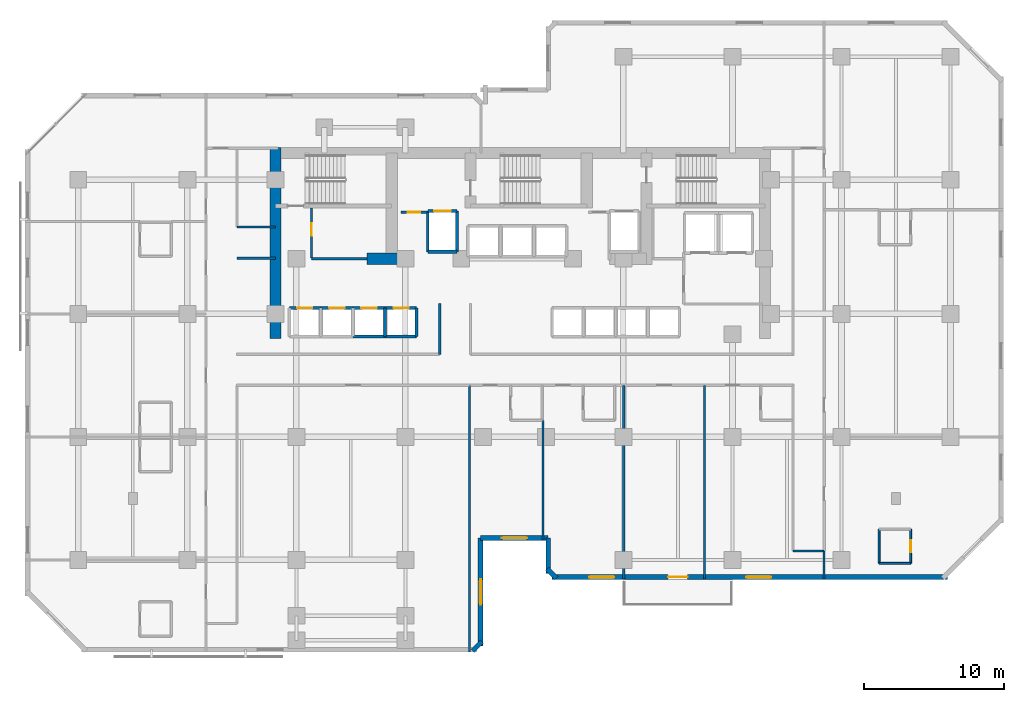
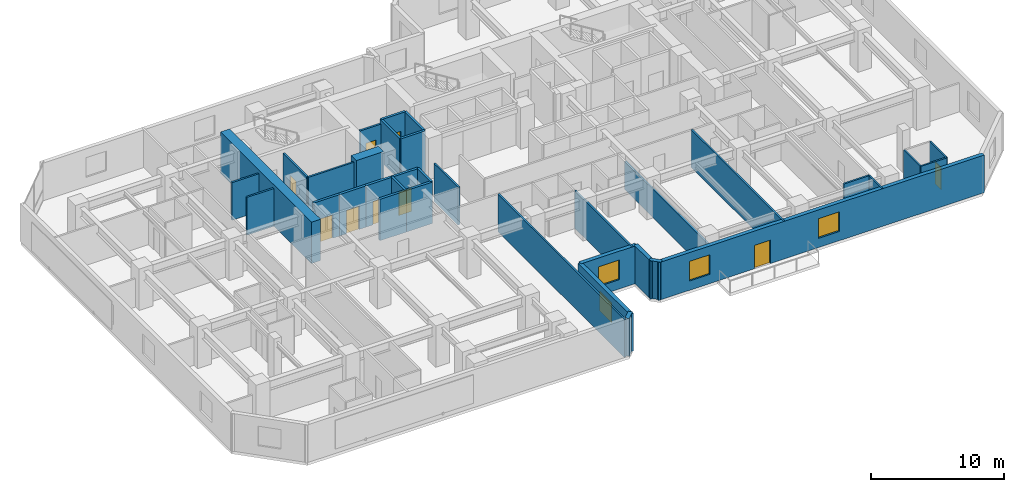
# One storey, part 6 of 11: 35 walls, 9 doors, 4 windows, 13 openings.
"""IFC4 building model written with IfcOpenShell, lengths in metres."""

import ifcopenshell
import ifcopenshell.guid

model = None  # the IFC model being written
_history = None  # IfcOwnerHistory: only IFC2X3 demands one
_inside = {}  # id of a spatial element -> (the spatial element, [elements in it])
_under = {}  # id of a project, library or spatial element -> (it, [spatial elements below it])
_declared = {}  # id of a project -> (the project, [libraries it declares])
_typed = {}  # id of a type object -> (the type object, [elements of that type])
_made_of = {}  # id of a material, layer set ... -> (it, [elements and type objects made of it])


def new_model(schema):
    """Start an empty IFC model of exactly this schema.

    Asked for "IFC4X3", IfcOpenShell would pick the latest addendum, in which some entities
    have other attributes; the version numbers below select the first issue.
    IFC2X3 requires an IfcOwnerHistory on every rooted entity: one is made here for all.
    """
    global model, _history
    if schema == "IFC4X3":
        model = ifcopenshell.file(schema_version=(4, 3, 0, 0))
    else:
        model = ifcopenshell.file(schema=schema)
    _inside.clear()
    _under.clear()
    _declared.clear()
    _typed.clear()
    _made_of.clear()
    _history = None
    if model.schema == "IFC2X3":
        org = make("IfcOrganization", Name="unknown")
        user = make(
            "IfcPersonAndOrganization",
            ThePerson=make("IfcPerson", FamilyName="unknown"),
            TheOrganization=org,
        )
        app = make(
            "IfcApplication",
            ApplicationDeveloper=org,
            Version="unknown",
            ApplicationFullName="unknown",
            ApplicationIdentifier="unknown",
        )
        _history = make(
            "IfcOwnerHistory",
            OwningUser=user,
            OwningApplication=app,
            ChangeAction="ADDED",
            CreationDate=0,
        )
    return model


def make(cls, **values):
    """One entity of the class cls with the attributes given. An attribute that is None is left unset."""
    return model.create_entity(
        cls, **{name: value for name, value in values.items() if value is not None}
    )


def rooted(cls, **values):
    """An entity with a GlobalId (a new one), such as an element, a storey or a relation."""
    return make(cls, GlobalId=ifcopenshell.guid.new(), OwnerHistory=_history, **values)


def si_unit(unit_type, name, prefix=None):
    """IfcSIUnit, for example si_unit("LENGTHUNIT", "METRE", prefix="MILLI")."""
    return make("IfcSIUnit", UnitType=unit_type, Prefix=prefix, Name=name)


def assignment(units):
    """IfcUnitAssignment: the units of a project."""
    return None if units is None else make("IfcUnitAssignment", Units=units)


def point(xyz):
    """IfcCartesianPoint."""
    return None if xyz is None else make("IfcCartesianPoint", Coordinates=xyz)


def direction(xyz):
    """IfcDirection."""
    return None if xyz is None else make("IfcDirection", DirectionRatios=xyz)


def frame(location, z_axis=None, x_axis=None):
    """IfcAxis2Placement3D, a coordinate frame: its origin and axes. An axis left out is left unset."""
    return make(
        "IfcAxis2Placement3D",
        Location=point(location),
        Axis=direction(z_axis),
        RefDirection=direction(x_axis),
    )


def frame_2d(location, x_axis=None):
    """IfcAxis2Placement2D, a coordinate frame in the plane: its origin and x axis."""
    return make(
        "IfcAxis2Placement2D", Location=point(location), RefDirection=direction(x_axis)
    )


def origin():
    """The frame at (0, 0, 0) with its axes left unset."""
    return frame((0.0, 0.0, 0.0))


def place(relative_to, where):
    """IfcLocalPlacement: puts the frame where relative to a parent placement (None: the world)."""
    return make(
        "IfcLocalPlacement", PlacementRelTo=relative_to, RelativePlacement=where
    )


def context(
    kind, dimensions, precision=None, world=None, true_north=None, identifier=None
):
    """IfcGeometricRepresentationContext, for example the 3D "Model" context."""
    return make(
        "IfcGeometricRepresentationContext",
        ContextIdentifier=identifier,
        ContextType=kind,
        CoordinateSpaceDimension=dimensions,
        Precision=precision,
        WorldCoordinateSystem=world,
        TrueNorth=true_north,
    )


def subcontext(parent, identifier, kind, view, scale=None):
    """IfcGeometricRepresentationSubContext, for example "Body" below "Model"."""
    return make(
        "IfcGeometricRepresentationSubContext",
        ContextIdentifier=identifier,
        ContextType=kind,
        ParentContext=parent,
        TargetScale=scale,
        TargetView=view,
    )


def project(units=None, contexts=None):
    """IfcProject with its units and contexts."""
    return rooted(
        "IfcProject",
        Name="project",
        RepresentationContexts=contexts,
        UnitsInContext=assignment(units),
    )


def spatial(cls, under=None, at=None, **own):
    """A site, building, storey or space (cls), placed at a placement, below another one or the project."""
    s = rooted(cls, ObjectPlacement=at, **own)
    if under is not None:
        _under.setdefault(under.id(), (under, []))[1].append(s)
    return s


def profile(cls, at=None, kind="AREA", **sizes):
    """A parametric profile (cls). Its sizes go by their IFC names, for example OverallWidth=200.0."""
    return make(cls, ProfileType=kind, Position=at, **sizes)


def rectangle(**sizes):
    """IfcRectangleProfileDef."""
    return profile("IfcRectangleProfileDef", **sizes)


def extrude(swept, where, along, depth):
    """IfcExtrudedAreaSolid: the profile swept, set in the frame where, extruded along a direction by depth."""
    return make(
        "IfcExtrudedAreaSolid",
        SweptArea=swept,
        Position=where,
        ExtrudedDirection=direction(along),
        Depth=depth,
    )


def shape(context_of_items, identifier, shape_type, items):
    """IfcShapeRepresentation: the items that make up one representation, for example the "Body"."""
    return make(
        "IfcShapeRepresentation",
        ContextOfItems=context_of_items,
        RepresentationIdentifier=identifier,
        RepresentationType=shape_type,
        Items=items,
    )


def material(Name=None, Category=None):
    """IfcMaterial."""
    return make("IfcMaterial", Name=Name, Category=Category)


def layer(
    of_material, thickness, ventilated=None, Name=None, Category=None, Priority=None
):
    """IfcMaterialLayer: one layer of a wall or slab, of a material (None: an air gap)."""
    return make(
        "IfcMaterialLayer",
        Material=of_material,
        LayerThickness=thickness,
        IsVentilated=ventilated,
        Name=Name,
        Category=Category,
        Priority=Priority,
    )


def layer_set(layers, Name=None):
    """IfcMaterialLayerSet."""
    return make("IfcMaterialLayerSet", MaterialLayers=layers, LayerSetName=Name)


def made_of(thing, what):
    """Note that an element or type object is made of a material, layer set ...; save() writes the relation."""
    if what is not None:
        _made_of.setdefault(what.id(), (what, []))[1].append(thing)
    return thing


def type_object(cls, material=None, **own):
    """A type object (cls), such as IfcWallType, which elements share."""
    return made_of(rooted(cls, **own), material)


def element(
    cls,
    number,
    at=None,
    inside=None,
    cuts=None,
    type_object=None,
    material=None,
    context=None,
    identifier="Body",
    shape_type=None,
    held_by="IfcProductDefinitionShape",
    body=None,
    shapes=None,
    **own,
):
    """One element of the class cls, such as IfcWall. Its Tag is "e" and its number.

    at: its placement. inside: the storey or other place that contains it. cuts: it is an
    opening in that element (IfcRelVoidsElement). A single representation is given by context,
    identifier, shape_type and body (its items); several are given by shapes. held_by: the class
    of the entity that holds the representations. save() writes the other relations.
    """
    e = rooted(cls, Tag="e%d" % number, ObjectPlacement=at, **own)
    if body is not None:
        shapes = [shape(context, identifier, shape_type, body)]
    if shapes is not None:
        e.Representation = make(held_by, Representations=shapes)
    if inside is not None:
        _inside.setdefault(inside.id(), (inside, []))[1].append(e)
    if cuts is not None:
        rooted(
            "IfcRelVoidsElement", RelatingBuildingElement=cuts, RelatedOpeningElement=e
        )
    if type_object is not None:
        _typed.setdefault(type_object.id(), (type_object, []))[1].append(e)
    return made_of(e, material)


def fill(opening, filler):
    """IfcRelFillsElement: the door or window that sits in an opening."""
    return rooted(
        "IfcRelFillsElement",
        RelatingOpeningElement=opening,
        RelatedBuildingElement=filler,
    )


def aggregate(whole, parts):
    """IfcRelAggregates: a whole, such as a stair, and the parts it consists of."""
    return rooted("IfcRelAggregates", RelatingObject=whole, RelatedObjects=parts)


def save(model, path):
    """Write the relations noted so far, then the file.

    IfcRelAggregates (storeys below a building ...), IfcRelContainedInSpatialStructure (elements
    in a storey), IfcRelDefinesByType, IfcRelAssociatesMaterial and IfcRelDeclares: one each for
    every whole, place, type object, material and project.
    """
    for whole, parts in _under.values():
        aggregate(whole, parts)
    for where, things in _inside.values():
        rooted(
            "IfcRelContainedInSpatialStructure",
            RelatedElements=things,
            RelatingStructure=where,
        )
    for kind, things in _typed.values():
        rooted("IfcRelDefinesByType", RelatedObjects=things, RelatingType=kind)
    for what, things in _made_of.values():
        rooted("IfcRelAssociatesMaterial", RelatedObjects=things, RelatingMaterial=what)
    for by, libraries in _declared.values():
        rooted("IfcRelDeclares", RelatingContext=by, RelatedDefinitions=libraries)
    model.write(path)


model = new_model("IFC4")

# Units and contexts
model_context = context("Model", 3, precision=1e-05, world=origin(), true_north=direction((0.0, 1.0)))
body_context = subcontext(model_context, "Body", "Model", "MODEL_VIEW")
ifc_project = project(units=[si_unit("LENGTHUNIT", "METRE"), si_unit("AREAUNIT", "SQUARE_METRE"), si_unit("VOLUMEUNIT", "CUBIC_METRE"), si_unit("PLANEANGLEUNIT", "RADIAN"), si_unit("MASSUNIT", "GRAM", prefix="KILO")], contexts=[model_context])

# Site, building, storey
site_placement = place(None, origin())
site = spatial("IfcSite", under=ifc_project, at=site_placement, CompositionType="ELEMENT")
building_placement = place(site_placement, origin())
building = spatial("IfcBuilding", under=site, at=building_placement, Name="Kestravale Grand Hotel", CompositionType="ELEMENT")
storey_placement = place(building_placement, frame((0.0, 0.0, 126.0)))
storey = spatial("IfcBuildingStorey", under=building, at=storey_placement, Name="L31", CompositionType="ELEMENT", Elevation=126.0)

# Walls
ifc_material_1 = material(Name="Concrete f'c 60 MPa", Category="concrete")
ifc_layer_1 = layer(ifc_material_1, 0.800048828125)
ifc_layer_set_1 = layer_set([ifc_layer_1], Name="EW-CORE-800")
wall_type_1 = type_object("IfcWallType", Name="EW-CORE-800", PredefinedType="SHEAR", material=ifc_layer_set_1)
wall_1_placement = place(storey_placement, frame((21.89990234375, 27.050048828125, 0.0), z_axis=(0.0, 0.0, 1.0), x_axis=(0.0, 1.0, 0.0)))
element("IfcWall", 1, at=wall_1_placement, inside=storey, type_object=wall_type_1, Name="L31 core shear wall W1", PredefinedType="SHEAR", context=body_context, shape_type="SweptSolid", body=[
    extrude(rectangle(XDim=13.669921875, YDim=0.800048828125, at=frame_2d((6.8349609375, 0.0))), origin(), (0.0, 0.0, 1.0), 3.800048828125),
])
wall_2_placement = place(storey_placement, frame((28.449951171875, 32.75, 0.0), z_axis=(0.0, 0.0, 1.0), x_axis=(1.0, 0.0, 0.0)))
element("IfcWall", 2, at=wall_2_placement, inside=storey, type_object=wall_type_1, Name="L31 core shear wall S1", PredefinedType="SHEAR", context=body_context, shape_type="SweptSolid", body=[
    extrude(rectangle(XDim=2.400146484375, YDim=0.800048828125, at=frame_2d((1.2001953125, 0.0))), origin(), (0.0, 0.0, 1.0), 3.800048828125),
])
ifc_material_2 = material(Name="Precast concrete f'c 45 MPa", Category="concrete")
ifc_layer_2 = layer(ifc_material_2, 0.340087890625)
ifc_layer_set_2 = layer_set([ifc_layer_2], Name="EW-PREC-340")
wall_type_2 = type_object("IfcWallType", Name="EW-PREC-340", PredefinedType="SOLIDWALL", material=ifc_layer_set_2)
wall_3_placement = place(storey_placement, frame((36.00146484375, 4.69189453125, 0.0), z_axis=(0.0, 0.0, 1.0), x_axis=(0.707238225886, 0.706975312048, 0.0)))
element("IfcWall", 3, at=wall_3_placement, inside=storey, type_object=wall_type_2, Name="L31 fluted precast facade wall 2", PredefinedType="SOLIDWALL", context=body_context, shape_type="SweptSolid", body=[
    extrude(rectangle(XDim=0.9287109375, YDim=0.340087890625, at=frame_2d((0.46435546875, 0.0))), origin(), (0.0, 0.0, 1.0), 3.4599609375),
])

# Wall, opening, window
wall_4_placement = place(storey_placement, frame((36.580078125, 5.030029296875, 0.0), z_axis=(0.0, 0.0, 1.0), x_axis=(0.0, 1.0, 0.0)))
wall_4 = element("IfcWall", 4, at=wall_4_placement, inside=storey, type_object=wall_type_2, Name="L31 fluted precast facade wall 3", PredefinedType="SOLIDWALL", context=body_context, shape_type="SweptSolid", body=[
    extrude(rectangle(XDim=7.739990234375, YDim=0.340087890625, at=frame_2d((3.8701171875, 0.0))), origin(), (0.0, 0.0, 1.0), 3.4599609375),
])
opening_1_placement = place(wall_4_placement, frame((2.969970703125, 0.0, 0.85009765625)))
opening_1 = element("IfcOpeningElement", 5, at=opening_1_placement, cuts=wall_4, Name="Opening W-GUEST-1800", PredefinedType="OPENING", context=body_context, shape_type="SweptSolid", body=[
    extrude(rectangle(XDim=1.800048828125, YDim=1.800048828125, at=frame_2d((0.89990234375, 0.89990234375))), frame((0.0, 0.179931640625, 0.0), z_axis=(0.0, -1.0, 0.0), x_axis=(1.0, 0.0, 0.0)), (0.0, 0.0, 1.0), 0.360107421875),
])
ifc_material_3 = material(Name="Insulated low-E double glazing in aluminium frame", Category="aluminium")
window_type = type_object("IfcWindowType", Name="W-GUEST-1800", PartitioningType="DOUBLE_PANEL_VERTICAL", PredefinedType="WINDOW", material=ifc_material_3)
window_1_placement = place(opening_1_placement, origin())
window_1 = element("IfcWindow", 6, at=window_1_placement, inside=storey, type_object=window_type, Name="L31 exterior window 3.1", OverallHeight=1.800048828125, OverallWidth=1.800048828125, PartitioningType="SINGLE_PANEL", PredefinedType="WINDOW", context=body_context, shape_type="SweptSolid", body=[
    extrude(rectangle(XDim=1.800048828125, YDim=1.800048828125, at=frame_2d((0.89990234375, 0.89990234375))), frame((0.0, 0.030029296875, 0.0), z_axis=(0.0, -1.0, 0.0), x_axis=(1.0, 0.0, 0.0)), (0.0, 0.0, 1.0), 0.06005859375),
])
fill(opening_1, window_1)

wall_5_placement = place(storey_placement, frame((36.580078125, 12.77001953125, 0.0), z_axis=(0.0, 0.0, 1.0), x_axis=(1.0, 0.0, 0.0)))
wall_5 = element("IfcWall", 7, at=wall_5_placement, inside=storey, type_object=wall_type_2, Name="L31 fluted precast facade wall 4", PredefinedType="SOLIDWALL", context=body_context, shape_type="SweptSolid", body=[
    extrude(rectangle(XDim=4.83984375, YDim=0.340087890625, at=frame_2d((2.419921875, 0.0))), origin(), (0.0, 0.0, 1.0), 3.4599609375),
])
opening_2_placement = place(wall_5_placement, frame((1.52001953125, 0.0, 0.85009765625)))
opening_2 = element("IfcOpeningElement", 8, at=opening_2_placement, cuts=wall_5, Name="Opening W-GUEST-1800", PredefinedType="OPENING", context=body_context, shape_type="SweptSolid", body=[
    extrude(rectangle(XDim=1.800048828125, YDim=1.800048828125, at=frame_2d((0.89990234375, 0.89990234375))), frame((0.0, 0.179931640625, 0.0), z_axis=(0.0, -1.0, 0.0), x_axis=(1.0, 0.0, 0.0)), (0.0, 0.0, 1.0), 0.360107421875),
])
window_2_placement = place(opening_2_placement, origin())
window_2 = element("IfcWindow", 9, at=window_2_placement, inside=storey, type_object=window_type, Name="L31 exterior window 4.1", OverallHeight=1.800048828125, OverallWidth=1.800048828125, PartitioningType="SINGLE_PANEL", PredefinedType="WINDOW", context=body_context, shape_type="SweptSolid", body=[
    extrude(rectangle(XDim=1.800048828125, YDim=1.800048828125, at=frame_2d((0.89990234375, 0.89990234375))), frame((0.0, 0.030029296875, 0.0), z_axis=(0.0, -1.0, 0.0), x_axis=(1.0, 0.0, 0.0)), (0.0, 0.0, 1.0), 0.06005859375),
])
fill(opening_2, window_2)

# Walls
wall_6_placement = place(storey_placement, frame((41.419921875, 12.77001953125, 0.0), z_axis=(0.0, 0.0, 1.0), x_axis=(0.0, -1.0, 0.0)))
element("IfcWall", 10, at=wall_6_placement, inside=storey, type_object=wall_type_2, Name="L31 fluted precast facade wall 5", PredefinedType="SOLIDWALL", context=body_context, shape_type="SweptSolid", body=[
    extrude(rectangle(XDim=2.5400390625, YDim=0.340087890625, at=frame_2d((1.27001953125, 0.0))), origin(), (0.0, 0.0, 1.0), 3.4599609375),
])
wall_7_placement = place(storey_placement, frame((41.341796875, 10.548583984375, 0.0), z_axis=(0.0, 0.0, 1.0), x_axis=(0.707106781187, -0.707106781187, 0.0)))
element("IfcWall", 11, at=wall_7_placement, inside=storey, type_object=wall_type_2, Name="L31 fluted precast facade wall 6", PredefinedType="SOLIDWALL", context=body_context, shape_type="SweptSolid", body=[
    extrude(rectangle(XDim=0.9287109375, YDim=0.340087890625, at=frame_2d((0.46435546875, 0.0))), origin(), (0.0, 0.0, 1.0), 3.4599609375),
])

# Wall, openings, door, windows
wall_8_placement = place(storey_placement, frame((41.679931640625, 9.969970703125, 0.0), z_axis=(0.0, 0.0, 1.0), x_axis=(1.0, 0.0, 0.0)))
wall_8 = element("IfcWall", 12, at=wall_8_placement, inside=storey, type_object=wall_type_2, Name="L31 fluted precast facade wall 7", PredefinedType="SOLIDWALL", context=body_context, shape_type="SweptSolid", body=[
    extrude(rectangle(XDim=28.2900390625, YDim=0.340087890625, at=frame_2d((14.14501953125, 0.0))), origin(), (0.0, 0.0, 1.0), 3.4599609375),
])
opening_3_placement = place(wall_8_placement, frame((8.320068359375, 0.0, 0.0)))
opening_3 = element("IfcOpeningElement", 13, at=opening_3_placement, cuts=wall_8, Name="Opening D-TERR-1400", PredefinedType="OPENING", context=body_context, shape_type="SweptSolid", body=[
    extrude(rectangle(XDim=1.39990234375, YDim=2.14990234375, at=frame_2d((0.699951171875, 1.074951171875))), frame((0.0, 0.179931640625, 0.0), z_axis=(0.0, -1.0, 0.0), x_axis=(1.0, 0.0, 0.0)), (0.0, 0.0, 1.0), 0.360107421875),
])
opening_4_placement = place(wall_8_placement, frame((2.6650390625, 0.0, 0.85009765625)))
opening_4 = element("IfcOpeningElement", 14, at=opening_4_placement, cuts=wall_8, Name="Opening W-GUEST-1800", PredefinedType="OPENING", context=body_context, shape_type="SweptSolid", body=[
    extrude(rectangle(XDim=1.800048828125, YDim=1.800048828125, at=frame_2d((0.89990234375, 0.89990234375))), frame((0.0, 0.179931640625, 0.0), z_axis=(0.0, -1.0, 0.0), x_axis=(1.0, 0.0, 0.0)), (0.0, 0.0, 1.0), 0.360107421875),
])
opening_5_placement = place(wall_8_placement, frame((13.89501953125, 0.0, 0.85009765625)))
opening_5 = element("IfcOpeningElement", 15, at=opening_5_placement, cuts=wall_8, Name="Opening W-GUEST-1800", PredefinedType="OPENING", context=body_context, shape_type="SweptSolid", body=[
    extrude(rectangle(XDim=1.800048828125, YDim=1.800048828125, at=frame_2d((0.89990234375, 0.89990234375))), frame((0.0, 0.179931640625, 0.0), z_axis=(0.0, -1.0, 0.0), x_axis=(1.0, 0.0, 0.0)), (0.0, 0.0, 1.0), 0.360107421875),
])
ifc_material_4 = material(Name="Insulated glazed champagne-bronze aluminium door", Category="aluminium")
door_type_1 = type_object("IfcDoorType", Name="D-TERR-1400", OperationType="NOTDEFINED", PredefinedType="DOOR", material=ifc_material_4)
door_1_placement = place(opening_3_placement, origin())
door_1 = element("IfcDoor", 16, at=door_1_placement, inside=storey, type_object=door_type_1, Name="L31 outdoor garden terrace door", OperationType="DOUBLE_DOOR_SINGLE_SWING", OverallHeight=2.14990234375, OverallWidth=1.39990234375, PredefinedType="DOOR", context=body_context, shape_type="SweptSolid", body=[
    extrude(rectangle(XDim=1.39990234375, YDim=2.14990234375, at=frame_2d((0.699951171875, 1.074951171875))), frame((0.0, 0.02490234375, 0.0), z_axis=(0.0, -1.0, 0.0), x_axis=(1.0, 0.0, 0.0)), (0.0, 0.0, 1.0), 0.050048828125),
])
fill(opening_3, door_1)
window_3_placement = place(opening_4_placement, origin())
window_3 = element("IfcWindow", 17, at=window_3_placement, inside=storey, type_object=window_type, Name="L31 exterior window 7.1", OverallHeight=1.800048828125, OverallWidth=1.800048828125, PartitioningType="SINGLE_PANEL", PredefinedType="WINDOW", context=body_context, shape_type="SweptSolid", body=[
    extrude(rectangle(XDim=1.800048828125, YDim=1.800048828125, at=frame_2d((0.89990234375, 0.89990234375))), frame((0.0, 0.030029296875, 0.0), z_axis=(0.0, -1.0, 0.0), x_axis=(1.0, 0.0, 0.0)), (0.0, 0.0, 1.0), 0.06005859375),
])
fill(opening_4, window_3)
window_4_placement = place(opening_5_placement, origin())
window_4 = element("IfcWindow", 18, at=window_4_placement, inside=storey, type_object=window_type, Name="L31 exterior window 7.2", OverallHeight=1.800048828125, OverallWidth=1.800048828125, PartitioningType="SINGLE_PANEL", PredefinedType="WINDOW", context=body_context, shape_type="SweptSolid", body=[
    extrude(rectangle(XDim=1.800048828125, YDim=1.800048828125, at=frame_2d((0.89990234375, 0.89990234375))), frame((0.0, 0.030029296875, 0.0), z_axis=(0.0, -1.0, 0.0), x_axis=(1.0, 0.0, 0.0)), (0.0, 0.0, 1.0), 0.06005859375),
])
fill(opening_5, window_4)

# Wall, opening, door
ifc_material_5 = material(Name="Acoustic fire-rated gypsum board partition", Category="other")
ifc_layer_3 = layer(ifc_material_5, 0.159912109375)
ifc_layer_set_3 = layer_set([ifc_layer_3], Name="IW-CORR-160")
wall_type_3 = type_object("IfcWallType", Name="IW-CORR-160", PredefinedType="PARTITIONING", material=ifc_layer_set_3)
wall_9_placement = place(storey_placement, frame((24.47998046875, 32.800048828125, 0.0), z_axis=(0.0, 0.0, 1.0), x_axis=(0.0, 1.0, 0.0)))
wall_9 = element("IfcWall", 19, at=wall_9_placement, inside=storey, type_object=wall_type_3, Name="L31 west core vestibule wall", PredefinedType="PARTITIONING", context=body_context, shape_type="SweptSolid", body=[
    extrude(rectangle(XDim=3.570068359375, YDim=0.159912109375, at=frame_2d((1.78515625, 0.0))), origin(), (0.0, 0.0, 1.0), 3.4599609375),
])
opening_6_placement = place(wall_9_placement, frame((1.603515625, 0.0, 0.0)))
opening_6 = element("IfcOpeningElement", 20, at=opening_6_placement, cuts=wall_9, Name="Opening D-SH-900", PredefinedType="OPENING", context=body_context, shape_type="SweptSolid", body=[
    extrude(rectangle(XDim=0.89990234375, YDim=2.10009765625, at=frame_2d((0.449951171875, 1.050048828125))), frame((0.0, 0.08984375, 0.0), z_axis=(0.0, -1.0, 0.0), x_axis=(1.0, 0.0, 0.0)), (0.0, 0.0, 1.0), 0.179931640625),
])
ifc_material_6 = material(Name="Galvanised 90-minute shaft and service fire door", Category="steel")
door_type_2 = type_object("IfcDoorType", Name="D-SH-900", OperationType="NOTDEFINED", PredefinedType="DOOR", material=ifc_material_6)
door_2_placement = place(opening_6_placement, origin())
door_2 = element("IfcDoor", 21, at=door_2_placement, inside=storey, type_object=door_type_2, Name="D-L31-HK", OperationType="SINGLE_SWING_RIGHT", OverallHeight=2.10009765625, OverallWidth=0.89990234375, PredefinedType="DOOR", context=body_context, shape_type="SweptSolid", body=[
    extrude(rectangle(XDim=0.89990234375, YDim=2.10009765625, at=frame_2d((0.449951171875, 1.050048828125))), frame((0.0, 0.02490234375, 0.0), z_axis=(0.0, -1.0, 0.0), x_axis=(1.0, 0.0, 0.0)), (0.0, 0.0, 1.0), 0.050048828125),
])
fill(opening_6, door_2)

# Walls
wall_10_placement = place(storey_placement, frame((24.47998046875, 32.75, 0.0), z_axis=(0.0, 0.0, 1.0), x_axis=(1.0, 0.0, 0.0)))
element("IfcWall", 22, at=wall_10_placement, inside=storey, type_object=wall_type_3, Name="W-L31-CWS", PredefinedType="PARTITIONING", context=body_context, shape_type="SweptSolid", body=[
    extrude(rectangle(XDim=3.969970703125, YDim=0.159912109375, at=frame_2d((1.98486328125, 0.0))), origin(), (0.0, 0.0, 1.0), 3.4599609375),
])
wall_11_placement = place(storey_placement, frame((33.64990234375, 25.909912109375, 0.0), z_axis=(0.0, 0.0, 1.0), x_axis=(0.0, 1.0, 0.0)))
element("IfcWall", 23, at=wall_11_placement, inside=storey, type_object=wall_type_3, Name="W-L31-TRUNK-W", PredefinedType="PARTITIONING", context=body_context, shape_type="SweptSolid", body=[
    extrude(rectangle(XDim=3.64013671875, YDim=0.159912109375, at=frame_2d((1.820068359375, 0.0))), origin(), (0.0, 0.0, 1.0), 3.4599609375),
])
for number, where, z_axis, x_axis, name in (
    (24, (19.159912109375, 35.02001953125, 0.0), (0.0, 0.0, 1.0), (1.0, 0.0, 0.0), "W-L31-SW-CN"),
    (25, (19.159912109375, 32.780029296875, 0.0), (0.0, 0.0, 1.0), (1.0, 0.0, 0.0), "W-L31-SW-CS"),
):
    element("IfcWall", number, at=place(storey_placement, frame(where, z_axis=z_axis, x_axis=x_axis)), inside=storey, type_object=wall_type_3, Name=name, PredefinedType="PARTITIONING", context=body_context, shape_type="SweptSolid", body=[
        extrude(rectangle(XDim=2.739990234375, YDim=0.159912109375, at=frame_2d((1.3701171875, 0.0))), origin(), (0.0, 0.0, 1.0), 3.4599609375),
    ])

# Wall, opening, door
ifc_material_7 = material(Name="Fire-rated gypsum board on steel studs with mineral wool", Category="steel")
ifc_layer_4 = layer(ifc_material_7, 0.179931640625)
ifc_layer_set_4 = layer_set([ifc_layer_4], Name="IW-FSAE-180")
wall_type_4 = type_object("IfcWallType", Name="IW-FSAE-180", PredefinedType="PARTITIONING", material=ifc_layer_set_4)
wall_12_placement = place(storey_placement, frame((30.89990234375, 36.080078125, 0.0), z_axis=(0.0, 0.0, 1.0), x_axis=(1.0, 0.0, 0.0)))
wall_12 = element("IfcWall", 26, at=wall_12_placement, inside=storey, type_object=wall_type_4, Name="L31 FSAE Lobby 1 smoke barrier", PredefinedType="PARTITIONING", context=body_context, shape_type="SweptSolid", body=[
    extrude(rectangle(XDim=1.85009765625, YDim=0.179931640625, at=frame_2d((0.925048828125, 0.0))), origin(), (0.0, 0.0, 1.0), 3.4599609375),
])
opening_7_placement = place(wall_12_placement, frame((0.47998046875, 0.0, 0.0)))
opening_7 = element("IfcOpeningElement", 27, at=opening_7_placement, cuts=wall_12, Name="Opening D-FSAE-1000", PredefinedType="OPENING", context=body_context, shape_type="SweptSolid", body=[
    extrude(rectangle(XDim=0.89990234375, YDim=2.14990234375, at=frame_2d((0.449951171875, 1.074951171875))), frame((0.0, 0.099853515625, 0.0), z_axis=(0.0, -1.0, 0.0), x_axis=(1.0, 0.0, 0.0)), (0.0, 0.0, 1.0), 0.199951171875),
])
ifc_material_8 = material(Name="Smoke-gasketed FSAE lobby fire door", Category="steel")
door_type_3 = type_object("IfcDoorType", Name="D-FSAE-1000", OperationType="NOTDEFINED", PredefinedType="DOOR", material=ifc_material_8)
door_3_placement = place(opening_7_placement, origin())
door_3 = element("IfcDoor", 28, at=door_3_placement, inside=storey, type_object=door_type_3, Name="L31 FSAE Lobby 1 fire door", OperationType="SINGLE_SWING_RIGHT", OverallHeight=2.14990234375, OverallWidth=0.89990234375, PredefinedType="DOOR", context=body_context, shape_type="SweptSolid", body=[
    extrude(rectangle(XDim=0.89990234375, YDim=2.14990234375, at=frame_2d((0.449951171875, 1.074951171875))), frame((0.0, 0.02490234375, 0.0), z_axis=(0.0, -1.0, 0.0), x_axis=(1.0, 0.0, 0.0)), (0.0, 0.0, 1.0), 0.050048828125),
])
fill(opening_7, door_3)

# Wall
ifc_material_9 = material(Name="Moisture-resistant tile-backer plumbing chase wall", Category="other")
ifc_layer_5 = layer(ifc_material_9, 0.139892578125)
ifc_layer_set_5 = layer_set([ifc_layer_5], Name="IW-PLB-140")
wall_type_5 = type_object("IfcWallType", Name="IW-PLB-140", PredefinedType="PLUMBINGWALL", material=ifc_layer_set_5)
wall_13_placement = place(storey_placement, frame((65.10009765625, 10.949951171875, 0.0), z_axis=(0.0, 0.0, 1.0), x_axis=(0.0, 1.0, 0.0)))
element("IfcWall", 29, at=wall_13_placement, inside=storey, type_object=wall_type_5, Name="W-L31-U08-BW", PredefinedType="PLUMBINGWALL", context=body_context, shape_type="SweptSolid", body=[
    extrude(rectangle(XDim=2.449951171875, YDim=0.139892578125, at=frame_2d((1.22509765625, 0.0))), origin(), (0.0, 0.0, 1.0), 3.4599609375),
])

# Wall, opening, door
wall_14_placement = place(storey_placement, frame((67.35009765625, 10.949951171875, 0.0), z_axis=(0.0, 0.0, 1.0), x_axis=(0.0, 1.0, 0.0)))
wall_14 = element("IfcWall", 30, at=wall_14_placement, inside=storey, type_object=wall_type_5, Name="W-L31-U08-BE", PredefinedType="PLUMBINGWALL", context=body_context, shape_type="SweptSolid", body=[
    extrude(rectangle(XDim=2.449951171875, YDim=0.139892578125, at=frame_2d((1.22509765625, 0.0))), origin(), (0.0, 0.0, 1.0), 3.4599609375),
])
opening_8_placement = place(wall_14_placement, frame((0.784912109375, 0.0, 0.0)))
opening_8 = element("IfcOpeningElement", 31, at=opening_8_placement, cuts=wall_14, Name="Opening D-BATH-880", PredefinedType="OPENING", context=body_context, shape_type="SweptSolid", body=[
    extrude(rectangle(XDim=0.8798828125, YDim=2.050048828125, at=frame_2d((0.43994140625, 1.02490234375))), frame((0.0, 0.079833984375, 0.0), z_axis=(0.0, -1.0, 0.0), x_axis=(1.0, 0.0, 0.0)), (0.0, 0.0, 1.0), 0.159912109375),
])
ifc_material_10 = material(Name="Moisture-sealed walnut en-suite bathroom door", Category="wood")
door_type_4 = type_object("IfcDoorType", Name="D-BATH-880", OperationType="NOTDEFINED", PredefinedType="DOOR", material=ifc_material_10)
door_4_placement = place(opening_8_placement, origin())
door_4 = element("IfcDoor", 32, at=door_4_placement, inside=storey, type_object=door_type_4, Name="D-L31-U08-BATH", OperationType="SINGLE_SWING_LEFT", OverallHeight=2.050048828125, OverallWidth=0.8798828125, PredefinedType="DOOR", context=body_context, shape_type="SweptSolid", body=[
    extrude(rectangle(XDim=0.8798828125, YDim=2.050048828125, at=frame_2d((0.43994140625, 1.02490234375))), frame((0.0, 0.02490234375, 0.0), z_axis=(0.0, -1.0, 0.0), x_axis=(1.0, 0.0, 0.0)), (0.0, 0.0, 1.0), 0.050048828125),
])
fill(opening_8, door_4)

# Walls
wall_15_placement = place(storey_placement, frame((65.10009765625, 10.949951171875, 0.0), z_axis=(0.0, 0.0, 1.0), x_axis=(1.0, 0.0, 0.0)))
element("IfcWall", 33, at=wall_15_placement, inside=storey, type_object=wall_type_5, Name="W-L31-U08-BS", PredefinedType="PLUMBINGWALL", context=body_context, shape_type="SweptSolid", body=[
    extrude(rectangle(XDim=2.25, YDim=0.139892578125, at=frame_2d((1.125, 0.0))), origin(), (0.0, 0.0, 1.0), 3.4599609375),
])
ifc_material_11 = material(Name="Concrete f'c 45 MPa", Category="concrete")
ifc_layer_6 = layer(ifc_material_11, 0.199951171875)
ifc_layer_set_6 = layer_set([ifc_layer_6], Name="IW-SHAFT-200")
wall_type_6 = type_object("IfcWallType", Name="IW-SHAFT-200", PredefinedType="SHEAR", material=ifc_layer_set_6)
for number, where, z_axis, x_axis, name in (
    (34, (29.75, 27.169921875, 0.0), (0.0, 0.0, 1.0), (0.0, 1.0, 0.0), "L31 PL-L4 west shaft wall"),
    (35, (31.9951171875, 27.169921875, 0.0), (0.0, 0.0, 1.0), (0.0, 1.0, 0.0), "L31 PL-L4 east shaft wall"),
):
    element("IfcWall", number, at=place(storey_placement, frame(where, z_axis=z_axis, x_axis=x_axis)), inside=storey, type_object=wall_type_6, Name=name, PredefinedType="SHEAR", context=body_context, shape_type="SweptSolid", body=[
        extrude(rectangle(XDim=2.06005859375, YDim=0.199951171875, at=frame_2d((1.030029296875, 0.0))), origin(), (0.0, 0.0, 1.0), 3.800048828125),
    ])
for number, where, z_axis, x_axis, name in (
    (36, (32.804931640625, 33.2451171875, 0.0), (0.0, 0.0, 1.0), (0.0, 1.0, 0.0), "L31 FL-1 west shaft wall"),
    (37, (34.89501953125, 33.2451171875, 0.0), (0.0, 0.0, 1.0), (0.0, 1.0, 0.0), "L31 FL-1 east shaft wall"),
):
    element("IfcWall", number, at=place(storey_placement, frame(where, z_axis=z_axis, x_axis=x_axis)), inside=storey, type_object=wall_type_6, Name=name, PredefinedType="SHEAR", context=body_context, shape_type="SweptSolid", body=[
        extrude(rectangle(XDim=2.909912109375, YDim=0.199951171875, at=frame_2d((1.455078125, 0.0))), origin(), (0.0, 0.0, 1.0), 3.800048828125),
    ])

# Wall, opening, door
ifc_material_12 = material(Name="Concrete f'c 45 MPa", Category="concrete")
ifc_layer_7 = layer(ifc_material_12, 0.219970703125)
ifc_layer_set_7 = layer_set([ifc_layer_7], Name="IW-SHAFT-220")
wall_type_7 = type_object("IfcWallType", Name="IW-SHAFT-220", PredefinedType="SHEAR", material=ifc_layer_set_7)
wall_16_placement = place(storey_placement, frame((22.905029296875, 29.22998046875, 0.0), z_axis=(0.0, 0.0, 1.0), x_axis=(1.0, 0.0, 0.0)))
wall_16 = element("IfcWall", 38, at=wall_16_placement, inside=storey, type_object=wall_type_7, Name="L31 PL-L1 north shaft wall", PredefinedType="SHEAR", context=body_context, shape_type="SweptSolid", body=[
    extrude(rectangle(XDim=2.244873046875, YDim=0.219970703125, at=frame_2d((1.12255859375, 0.0))), origin(), (0.0, 0.0, 1.0), 3.800048828125),
])
opening_9_placement = place(wall_16_placement, frame((0.544921875, 0.0, 0.0)))
opening_9 = element("IfcOpeningElement", 39, at=opening_9_placement, cuts=wall_16, Name="Opening LD-PAX-1100", PredefinedType="OPENING", context=body_context, shape_type="SweptSolid", body=[
    extrude(rectangle(XDim=1.10009765625, YDim=2.14990234375, at=frame_2d((0.550048828125, 1.074951171875))), frame((0.0, 0.119873046875, 0.0), z_axis=(0.0, -1.0, 0.0), x_axis=(1.0, 0.0, 0.0)), (0.0, 0.0, 1.0), 0.239990234375),
])
ifc_material_13 = material(Name="Champagne-bronze center-opening sliding elevator landing door", Category="steel")
door_type_5 = type_object("IfcDoorType", Name="LD-PAX-1100", OperationType="NOTDEFINED", PredefinedType="DOOR", material=ifc_material_13)
door_5_placement = place(opening_9_placement, origin())
door_5 = element("IfcDoor", 40, at=door_5_placement, inside=storey, type_object=door_type_5, Name="L31 PL-L1 elevator landing sliding door", OperationType="DOUBLE_DOOR_SLIDING", OverallHeight=2.14990234375, OverallWidth=1.10009765625, PredefinedType="DOOR", context=body_context, shape_type="SweptSolid", body=[
    extrude(rectangle(XDim=1.10009765625, YDim=2.14990234375, at=frame_2d((0.550048828125, 1.074951171875))), frame((0.0, 0.02490234375, 0.0), z_axis=(0.0, -1.0, 0.0), x_axis=(1.0, 0.0, 0.0)), (0.0, 0.0, 1.0), 0.050048828125),
])
fill(opening_9, door_5)

wall_17_placement = place(storey_placement, frame((25.14990234375, 29.22998046875, 0.0), z_axis=(0.0, 0.0, 1.0), x_axis=(1.0, 0.0, 0.0)))
wall_17 = element("IfcWall", 41, at=wall_17_placement, inside=storey, type_object=wall_type_7, Name="L31 PL-L2 north shaft wall", PredefinedType="SHEAR", context=body_context, shape_type="SweptSolid", body=[
    extrude(rectangle(XDim=2.300048828125, YDim=0.219970703125, at=frame_2d((1.14990234375, 0.0))), origin(), (0.0, 0.0, 1.0), 3.800048828125),
])
opening_10_placement = place(wall_17_placement, frame((0.60009765625, 0.0, 0.0)))
opening_10 = element("IfcOpeningElement", 42, at=opening_10_placement, cuts=wall_17, Name="Opening LD-PAX-1100", PredefinedType="OPENING", context=body_context, shape_type="SweptSolid", body=[
    extrude(rectangle(XDim=1.10009765625, YDim=2.14990234375, at=frame_2d((0.550048828125, 1.074951171875))), frame((0.0, 0.119873046875, 0.0), z_axis=(0.0, -1.0, 0.0), x_axis=(1.0, 0.0, 0.0)), (0.0, 0.0, 1.0), 0.239990234375),
])
door_6_placement = place(opening_10_placement, origin())
door_6 = element("IfcDoor", 43, at=door_6_placement, inside=storey, type_object=door_type_5, Name="L31 PL-L2 elevator landing sliding door", OperationType="DOUBLE_DOOR_SLIDING", OverallHeight=2.14990234375, OverallWidth=1.10009765625, PredefinedType="DOOR", context=body_context, shape_type="SweptSolid", body=[
    extrude(rectangle(XDim=1.10009765625, YDim=2.14990234375, at=frame_2d((0.550048828125, 1.074951171875))), frame((0.0, 0.02490234375, 0.0), z_axis=(0.0, -1.0, 0.0), x_axis=(1.0, 0.0, 0.0)), (0.0, 0.0, 1.0), 0.050048828125),
])
fill(opening_10, door_6)

wall_18_placement = place(storey_placement, frame((27.449951171875, 29.22998046875, 0.0), z_axis=(0.0, 0.0, 1.0), x_axis=(1.0, 0.0, 0.0)))
wall_18 = element("IfcWall", 44, at=wall_18_placement, inside=storey, type_object=wall_type_7, Name="L31 PL-L3 north shaft wall", PredefinedType="SHEAR", context=body_context, shape_type="SweptSolid", body=[
    extrude(rectangle(XDim=2.300048828125, YDim=0.219970703125, at=frame_2d((1.14990234375, 0.0))), origin(), (0.0, 0.0, 1.0), 3.800048828125),
])
opening_11_placement = place(wall_18_placement, frame((0.60009765625, 0.0, 0.0)))
opening_11 = element("IfcOpeningElement", 45, at=opening_11_placement, cuts=wall_18, Name="Opening LD-PAX-1100", PredefinedType="OPENING", context=body_context, shape_type="SweptSolid", body=[
    extrude(rectangle(XDim=1.10009765625, YDim=2.14990234375, at=frame_2d((0.550048828125, 1.074951171875))), frame((0.0, 0.119873046875, 0.0), z_axis=(0.0, -1.0, 0.0), x_axis=(1.0, 0.0, 0.0)), (0.0, 0.0, 1.0), 0.239990234375),
])
door_7_placement = place(opening_11_placement, origin())
door_7 = element("IfcDoor", 46, at=door_7_placement, inside=storey, type_object=door_type_5, Name="L31 PL-L3 elevator landing sliding door", OperationType="DOUBLE_DOOR_SLIDING", OverallHeight=2.14990234375, OverallWidth=1.10009765625, PredefinedType="DOOR", context=body_context, shape_type="SweptSolid", body=[
    extrude(rectangle(XDim=1.10009765625, YDim=2.14990234375, at=frame_2d((0.550048828125, 1.074951171875))), frame((0.0, 0.02490234375, 0.0), z_axis=(0.0, -1.0, 0.0), x_axis=(1.0, 0.0, 0.0)), (0.0, 0.0, 1.0), 0.050048828125),
])
fill(opening_11, door_7)

# Wall
wall_19_placement = place(storey_placement, frame((27.449951171875, 27.169921875, 0.0), z_axis=(0.0, 0.0, 1.0), x_axis=(1.0, 0.0, 0.0)))
element("IfcWall", 47, at=wall_19_placement, inside=storey, type_object=wall_type_7, Name="L31 PL-L3 south shaft wall", PredefinedType="SHEAR", context=body_context, shape_type="SweptSolid", body=[
    extrude(rectangle(XDim=2.300048828125, YDim=0.219970703125, at=frame_2d((1.14990234375, 0.0))), origin(), (0.0, 0.0, 1.0), 3.800048828125),
])

# Wall, opening, door
wall_20_placement = place(storey_placement, frame((29.75, 29.22998046875, 0.0), z_axis=(0.0, 0.0, 1.0), x_axis=(1.0, 0.0, 0.0)))
wall_20 = element("IfcWall", 48, at=wall_20_placement, inside=storey, type_object=wall_type_7, Name="L31 PL-L4 north shaft wall", PredefinedType="SHEAR", context=body_context, shape_type="SweptSolid", body=[
    extrude(rectangle(XDim=2.2451171875, YDim=0.219970703125, at=frame_2d((1.12255859375, 0.0))), origin(), (0.0, 0.0, 1.0), 3.800048828125),
])
opening_12_placement = place(wall_20_placement, frame((0.60009765625, 0.0, 0.0)))
opening_12 = element("IfcOpeningElement", 49, at=opening_12_placement, cuts=wall_20, Name="Opening LD-PAX-1100", PredefinedType="OPENING", context=body_context, shape_type="SweptSolid", body=[
    extrude(rectangle(XDim=1.10009765625, YDim=2.14990234375, at=frame_2d((0.550048828125, 1.074951171875))), frame((0.0, 0.119873046875, 0.0), z_axis=(0.0, -1.0, 0.0), x_axis=(1.0, 0.0, 0.0)), (0.0, 0.0, 1.0), 0.239990234375),
])
door_8_placement = place(opening_12_placement, origin())
door_8 = element("IfcDoor", 50, at=door_8_placement, inside=storey, type_object=door_type_5, Name="L31 PL-L4 elevator landing sliding door", OperationType="DOUBLE_DOOR_SLIDING", OverallHeight=2.14990234375, OverallWidth=1.10009765625, PredefinedType="DOOR", context=body_context, shape_type="SweptSolid", body=[
    extrude(rectangle(XDim=1.10009765625, YDim=2.14990234375, at=frame_2d((0.550048828125, 1.074951171875))), frame((0.0, 0.02490234375, 0.0), z_axis=(0.0, -1.0, 0.0), x_axis=(1.0, 0.0, 0.0)), (0.0, 0.0, 1.0), 0.050048828125),
])
fill(opening_12, door_8)

# Wall
wall_21_placement = place(storey_placement, frame((29.75, 27.169921875, 0.0), z_axis=(0.0, 0.0, 1.0), x_axis=(1.0, 0.0, 0.0)))
element("IfcWall", 51, at=wall_21_placement, inside=storey, type_object=wall_type_7, Name="L31 PL-L4 south shaft wall", PredefinedType="SHEAR", context=body_context, shape_type="SweptSolid", body=[
    extrude(rectangle(XDim=2.2451171875, YDim=0.219970703125, at=frame_2d((1.12255859375, 0.0))), origin(), (0.0, 0.0, 1.0), 3.800048828125),
])

# Wall, opening, door
wall_22_placement = place(storey_placement, frame((32.804931640625, 36.155029296875, 0.0), z_axis=(0.0, 0.0, 1.0), x_axis=(1.0, 0.0, 0.0)))
wall_22 = element("IfcWall", 52, at=wall_22_placement, inside=storey, type_object=wall_type_7, Name="L31 FL-1 north shaft wall", PredefinedType="SHEAR", context=body_context, shape_type="SweptSolid", body=[
    extrude(rectangle(XDim=2.090087890625, YDim=0.219970703125, at=frame_2d((1.044921875, 0.0))), origin(), (0.0, 0.0, 1.0), 3.800048828125),
])
opening_13_placement = place(wall_22_placement, frame((0.445068359375, 0.0, 0.0)))
opening_13 = element("IfcOpeningElement", 53, at=opening_13_placement, cuts=wall_22, Name="Opening LD-FSAE-1200", PredefinedType="OPENING", context=body_context, shape_type="SweptSolid", body=[
    extrude(rectangle(XDim=1.199951171875, YDim=2.14990234375, at=frame_2d((0.60009765625, 1.074951171875))), frame((0.0, 0.119873046875, 0.0), z_axis=(0.0, -1.0, 0.0), x_axis=(1.0, 0.0, 0.0)), (0.0, 0.0, 1.0), 0.239990234375),
])
ifc_material_14 = material(Name="Stainless fire-service sliding elevator landing door", Category="steel")
door_type_6 = type_object("IfcDoorType", Name="LD-FSAE-1200", OperationType="NOTDEFINED", PredefinedType="DOOR", material=ifc_material_14)
door_9_placement = place(opening_13_placement, origin())
door_9 = element("IfcDoor", 54, at=door_9_placement, inside=storey, type_object=door_type_6, Name="L31 FL-1 elevator landing sliding door", OperationType="DOUBLE_DOOR_SLIDING", OverallHeight=2.14990234375, OverallWidth=1.199951171875, PredefinedType="DOOR", context=body_context, shape_type="SweptSolid", body=[
    extrude(rectangle(XDim=1.199951171875, YDim=2.14990234375, at=frame_2d((0.60009765625, 1.074951171875))), frame((0.0, 0.02490234375, 0.0), z_axis=(0.0, -1.0, 0.0), x_axis=(1.0, 0.0, 0.0)), (0.0, 0.0, 1.0), 0.050048828125),
])
fill(opening_13, door_9)

# Walls
wall_23_placement = place(storey_placement, frame((32.804931640625, 33.2451171875, 0.0), z_axis=(0.0, 0.0, 1.0), x_axis=(1.0, 0.0, 0.0)))
element("IfcWall", 55, at=wall_23_placement, inside=storey, type_object=wall_type_7, Name="L31 FL-1 south shaft wall", PredefinedType="SHEAR", context=body_context, shape_type="SweptSolid", body=[
    extrude(rectangle(XDim=2.090087890625, YDim=0.219970703125, at=frame_2d((1.044921875, 0.0))), origin(), (0.0, 0.0, 1.0), 3.800048828125),
])
ifc_material_15 = material(Name="Double-stud STC 52 acoustic demising partition", Category="other")
ifc_layer_8 = layer(ifc_material_15, 0.14990234375)
ifc_layer_set_8 = layer_set([ifc_layer_8], Name="IW-UNIT-150")
wall_type_8 = type_object("IfcWallType", Name="IW-UNIT-150", PredefinedType="PARTITIONING", material=ifc_layer_set_8)
wall_24_placement = place(storey_placement, frame((58.93994140625, 11.85009765625, 0.0), z_axis=(0.0, 0.0, 1.0), x_axis=(1.0, 0.0, 0.0)))
element("IfcWall", 56, at=wall_24_placement, inside=storey, type_object=wall_type_8, Name="W-L31-SE-S", PredefinedType="PARTITIONING", context=body_context, shape_type="SweptSolid", body=[
    extrude(rectangle(XDim=2.219970703125, YDim=0.14990234375, at=frame_2d((1.10986328125, 0.0))), origin(), (0.0, 0.0, 1.0), 3.4599609375),
])
wall_25_placement = place(storey_placement, frame((35.800048828125, 4.6201171875, 0.0), z_axis=(0.0, 0.0, 1.0), x_axis=(0.0, 1.0, 0.0)))
element("IfcWall", 57, at=wall_25_placement, inside=storey, type_object=wall_type_8, Name="W-L31-MID-S", PredefinedType="PARTITIONING", context=body_context, shape_type="SweptSolid", body=[
    extrude(rectangle(XDim=19.0498046875, YDim=0.14990234375, at=frame_2d((9.52490234375, 0.0))), origin(), (0.0, 0.0, 1.0), 3.4599609375),
])
wall_26_placement = place(storey_placement, frame((41.034912109375, 12.6201171875, 0.0), z_axis=(0.0, 0.0, 1.0), x_axis=(0.0, 1.0, 0.0)))
element("IfcWall", 58, at=wall_26_placement, inside=storey, type_object=wall_type_8, Name="W-L31-ES-1", PredefinedType="PARTITIONING", context=body_context, shape_type="SweptSolid", body=[
    extrude(rectangle(XDim=8.559814453125, YDim=0.14990234375, at=frame_2d((4.27978515625, 0.0))), origin(), (0.0, 0.0, 1.0), 3.4599609375),
])
wall_27_placement = place(storey_placement, frame((46.820068359375, 9.820068359375, 0.0), z_axis=(0.0, 0.0, 1.0), x_axis=(0.0, 1.0, 0.0)))
element("IfcWall", 59, at=wall_27_placement, inside=storey, type_object=wall_type_8, Name="W-L31-ES-2", PredefinedType="PARTITIONING", context=body_context, shape_type="SweptSolid", body=[
    extrude(rectangle(XDim=13.869873046875, YDim=0.14990234375, at=frame_2d((6.93505859375, 0.0))), origin(), (0.0, 0.0, 1.0), 2.59912109375),
])
wall_28_placement = place(storey_placement, frame((52.60498046875, 9.820068359375, 0.0), z_axis=(0.0, 0.0, 1.0), x_axis=(0.0, 1.0, 0.0)))
element("IfcWall", 60, at=wall_28_placement, inside=storey, type_object=wall_type_8, Name="W-L31-ES-3", PredefinedType="PARTITIONING", context=body_context, shape_type="SweptSolid", body=[
    extrude(rectangle(XDim=13.869873046875, YDim=0.14990234375, at=frame_2d((6.93505859375, 0.0))), origin(), (0.0, 0.0, 1.0), 3.4599609375),
])
wall_29_placement = place(storey_placement, frame((61.159912109375, 9.820068359375, 0.0), z_axis=(0.0, 0.0, 1.0), x_axis=(0.0, 1.0, 0.0)))
element("IfcWall", 61, at=wall_29_placement, inside=storey, type_object=wall_type_8, Name="W-L31-SE-EXT", PredefinedType="PARTITIONING", context=body_context, shape_type="SweptSolid", body=[
    extrude(rectangle(XDim=2.030029296875, YDim=0.14990234375, at=frame_2d((1.01513671875, 0.0))), origin(), (0.0, 0.0, 1.0), 3.4599609375),
])

save(model, "model.ifc")
